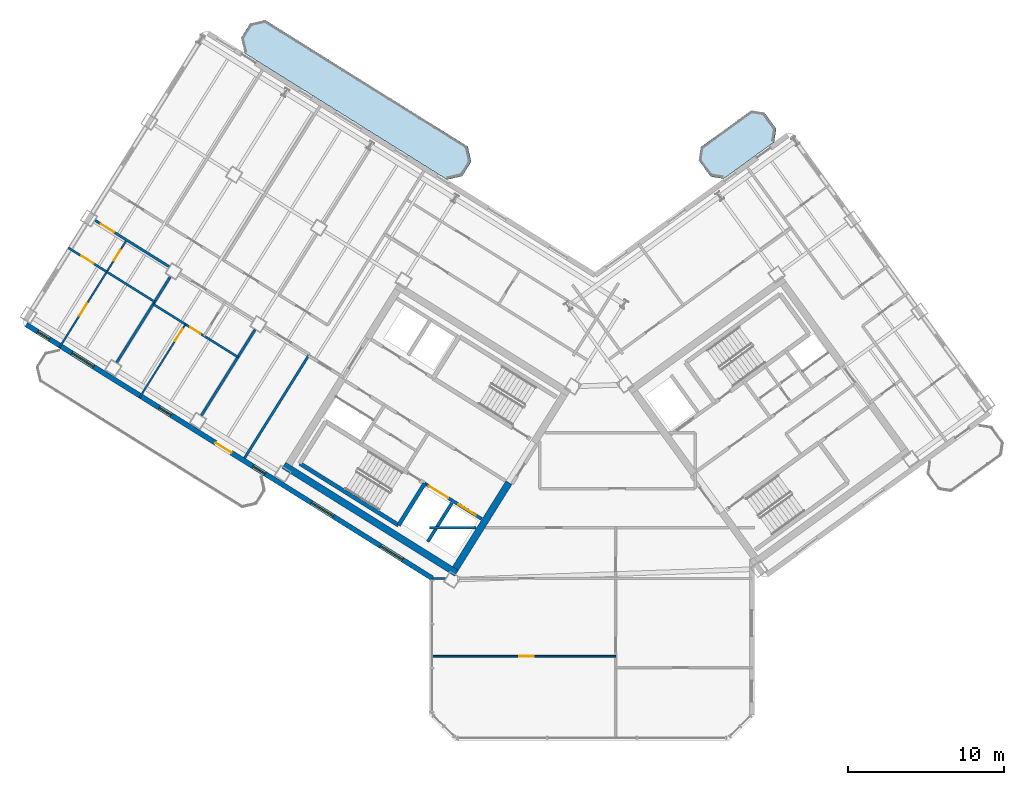
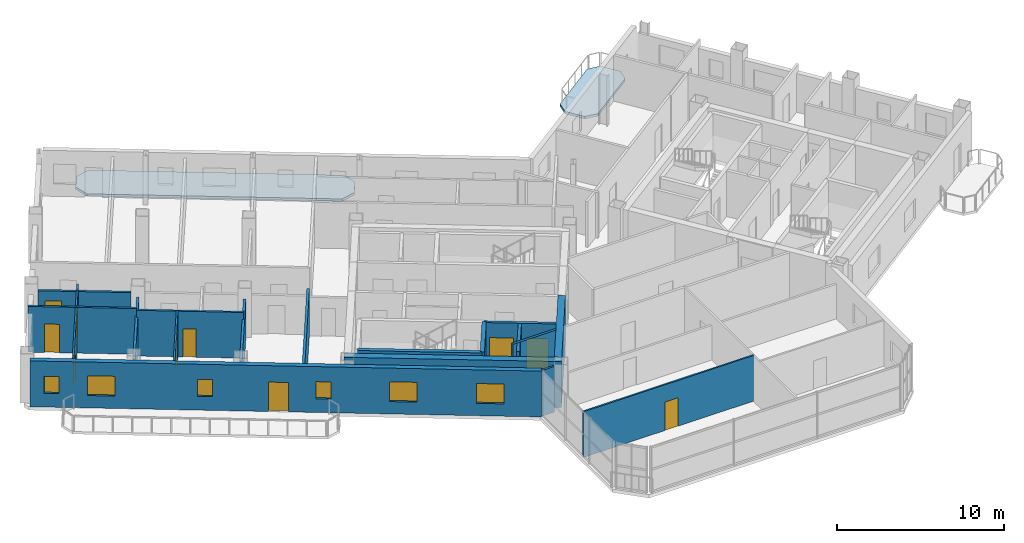
# One storey, part 11 of 20: 19 walls, 10 doors, 6 windows, 2 slabs, 16 openings.
"""IFC4 building model written with IfcOpenShell, lengths in metres."""

import ifcopenshell
import ifcopenshell.guid

model = None  # the IFC model being written
_history = None  # IfcOwnerHistory: only IFC2X3 demands one
_inside = {}  # id of a spatial element -> (the spatial element, [elements in it])
_under = {}  # id of a project, library or spatial element -> (it, [spatial elements below it])
_declared = {}  # id of a project -> (the project, [libraries it declares])
_typed = {}  # id of a type object -> (the type object, [elements of that type])
_made_of = {}  # id of a material, layer set ... -> (it, [elements and type objects made of it])


def new_model(schema):
    """Start an empty IFC model of exactly this schema.

    Asked for "IFC4X3", IfcOpenShell would pick the latest addendum, in which some entities
    have other attributes; the version numbers below select the first issue.
    IFC2X3 requires an IfcOwnerHistory on every rooted entity: one is made here for all.
    """
    global model, _history
    if schema == "IFC4X3":
        model = ifcopenshell.file(schema_version=(4, 3, 0, 0))
    else:
        model = ifcopenshell.file(schema=schema)
    _inside.clear()
    _under.clear()
    _declared.clear()
    _typed.clear()
    _made_of.clear()
    _history = None
    if model.schema == "IFC2X3":
        org = make("IfcOrganization", Name="unknown")
        user = make(
            "IfcPersonAndOrganization",
            ThePerson=make("IfcPerson", FamilyName="unknown"),
            TheOrganization=org,
        )
        app = make(
            "IfcApplication",
            ApplicationDeveloper=org,
            Version="unknown",
            ApplicationFullName="unknown",
            ApplicationIdentifier="unknown",
        )
        _history = make(
            "IfcOwnerHistory",
            OwningUser=user,
            OwningApplication=app,
            ChangeAction="ADDED",
            CreationDate=0,
        )
    return model


def make(cls, **values):
    """One entity of the class cls with the attributes given. An attribute that is None is left unset."""
    return model.create_entity(
        cls, **{name: value for name, value in values.items() if value is not None}
    )


def rooted(cls, **values):
    """An entity with a GlobalId (a new one), such as an element, a storey or a relation."""
    return make(cls, GlobalId=ifcopenshell.guid.new(), OwnerHistory=_history, **values)


def si_unit(unit_type, name, prefix=None):
    """IfcSIUnit, for example si_unit("LENGTHUNIT", "METRE", prefix="MILLI")."""
    return make("IfcSIUnit", UnitType=unit_type, Prefix=prefix, Name=name)


def assignment(units):
    """IfcUnitAssignment: the units of a project."""
    return None if units is None else make("IfcUnitAssignment", Units=units)


def point(xyz):
    """IfcCartesianPoint."""
    return None if xyz is None else make("IfcCartesianPoint", Coordinates=xyz)


def direction(xyz):
    """IfcDirection."""
    return None if xyz is None else make("IfcDirection", DirectionRatios=xyz)


def frame(location, z_axis=None, x_axis=None):
    """IfcAxis2Placement3D, a coordinate frame: its origin and axes. An axis left out is left unset."""
    return make(
        "IfcAxis2Placement3D",
        Location=point(location),
        Axis=direction(z_axis),
        RefDirection=direction(x_axis),
    )


def frame_2d(location, x_axis=None):
    """IfcAxis2Placement2D, a coordinate frame in the plane: its origin and x axis."""
    return make(
        "IfcAxis2Placement2D", Location=point(location), RefDirection=direction(x_axis)
    )


def origin():
    """The frame at (0, 0, 0) with its axes left unset."""
    return frame((0.0, 0.0, 0.0))


def place(relative_to, where):
    """IfcLocalPlacement: puts the frame where relative to a parent placement (None: the world)."""
    return make(
        "IfcLocalPlacement", PlacementRelTo=relative_to, RelativePlacement=where
    )


def context(
    kind, dimensions, precision=None, world=None, true_north=None, identifier=None
):
    """IfcGeometricRepresentationContext, for example the 3D "Model" context."""
    return make(
        "IfcGeometricRepresentationContext",
        ContextIdentifier=identifier,
        ContextType=kind,
        CoordinateSpaceDimension=dimensions,
        Precision=precision,
        WorldCoordinateSystem=world,
        TrueNorth=true_north,
    )


def subcontext(parent, identifier, kind, view, scale=None):
    """IfcGeometricRepresentationSubContext, for example "Body" below "Model"."""
    return make(
        "IfcGeometricRepresentationSubContext",
        ContextIdentifier=identifier,
        ContextType=kind,
        ParentContext=parent,
        TargetScale=scale,
        TargetView=view,
    )


def project(units=None, contexts=None):
    """IfcProject with its units and contexts."""
    return rooted(
        "IfcProject",
        Name="project",
        RepresentationContexts=contexts,
        UnitsInContext=assignment(units),
    )


def spatial(cls, under=None, at=None, **own):
    """A site, building, storey or space (cls), placed at a placement, below another one or the project."""
    s = rooted(cls, ObjectPlacement=at, **own)
    if under is not None:
        _under.setdefault(under.id(), (under, []))[1].append(s)
    return s


def polyline(points):
    """IfcPolyline through the points."""
    return make("IfcPolyline", Points=[point(p) for p in points])


def profile(cls, at=None, kind="AREA", **sizes):
    """A parametric profile (cls). Its sizes go by their IFC names, for example OverallWidth=200.0."""
    return make(cls, ProfileType=kind, Position=at, **sizes)


def rectangle(**sizes):
    """IfcRectangleProfileDef."""
    return profile("IfcRectangleProfileDef", **sizes)


def outline(outer, holes=None, kind="AREA"):
    """IfcArbitraryClosedProfileDef: a profile drawn as a closed curve; with holes, ...WithVoids."""
    if holes is None:
        return make("IfcArbitraryClosedProfileDef", ProfileType=kind, OuterCurve=outer)
    return make(
        "IfcArbitraryProfileDefWithVoids",
        ProfileType=kind,
        OuterCurve=outer,
        InnerCurves=holes,
    )


def extrude(swept, where, along, depth):
    """IfcExtrudedAreaSolid: the profile swept, set in the frame where, extruded along a direction by depth."""
    return make(
        "IfcExtrudedAreaSolid",
        SweptArea=swept,
        Position=where,
        ExtrudedDirection=direction(along),
        Depth=depth,
    )


def shape(context_of_items, identifier, shape_type, items):
    """IfcShapeRepresentation: the items that make up one representation, for example the "Body"."""
    return make(
        "IfcShapeRepresentation",
        ContextOfItems=context_of_items,
        RepresentationIdentifier=identifier,
        RepresentationType=shape_type,
        Items=items,
    )


def source(mapping_origin, context_of_items, identifier, shape_type, items):
    """IfcRepresentationMap: a shape defined once, which mapped items show again and again."""
    return make(
        "IfcRepresentationMap",
        MappingOrigin=mapping_origin,
        MappedRepresentation=shape(context_of_items, identifier, shape_type, items),
    )


def transform(
    local_origin,
    x_axis=None,
    y_axis=None,
    z_axis=None,
    scale=None,
    scale2=None,
    scale3=None,
    uniform=True,
):
    """IfcCartesianTransformationOperator3D, or its non-uniform kind. x_axis, y_axis, z_axis: its Axis1, 2, 3."""
    if uniform:
        return make(
            "IfcCartesianTransformationOperator3D",
            Axis1=direction(x_axis),
            Axis2=direction(y_axis),
            LocalOrigin=point(local_origin),
            Scale=scale,
            Axis3=direction(z_axis),
        )
    return make(
        "IfcCartesianTransformationOperator3DnonUniform",
        Axis1=direction(x_axis),
        Axis2=direction(y_axis),
        LocalOrigin=point(local_origin),
        Scale=scale,
        Axis3=direction(z_axis),
        Scale2=scale2,
        Scale3=scale3,
    )


def mapped(mapping_source, mapping_target):
    """IfcMappedItem: shows the shape of a source again, moved by a transform."""
    return make(
        "IfcMappedItem", MappingSource=mapping_source, MappingTarget=mapping_target
    )


def material(Name=None, Category=None):
    """IfcMaterial."""
    return make("IfcMaterial", Name=Name, Category=Category)


def layer(
    of_material, thickness, ventilated=None, Name=None, Category=None, Priority=None
):
    """IfcMaterialLayer: one layer of a wall or slab, of a material (None: an air gap)."""
    return make(
        "IfcMaterialLayer",
        Material=of_material,
        LayerThickness=thickness,
        IsVentilated=ventilated,
        Name=Name,
        Category=Category,
        Priority=Priority,
    )


def layer_set(layers, Name=None):
    """IfcMaterialLayerSet."""
    return make("IfcMaterialLayerSet", MaterialLayers=layers, LayerSetName=Name)


def made_of(thing, what):
    """Note that an element or type object is made of a material, layer set ...; save() writes the relation."""
    if what is not None:
        _made_of.setdefault(what.id(), (what, []))[1].append(thing)
    return thing


def type_object(cls, material=None, **own):
    """A type object (cls), such as IfcWallType, which elements share."""
    return made_of(rooted(cls, **own), material)


def element(
    cls,
    number,
    at=None,
    inside=None,
    cuts=None,
    type_object=None,
    material=None,
    context=None,
    identifier="Body",
    shape_type=None,
    held_by="IfcProductDefinitionShape",
    body=None,
    shapes=None,
    **own,
):
    """One element of the class cls, such as IfcWall. Its Tag is "e" and its number.

    at: its placement. inside: the storey or other place that contains it. cuts: it is an
    opening in that element (IfcRelVoidsElement). A single representation is given by context,
    identifier, shape_type and body (its items); several are given by shapes. held_by: the class
    of the entity that holds the representations. save() writes the other relations.
    """
    e = rooted(cls, Tag="e%d" % number, ObjectPlacement=at, **own)
    if body is not None:
        shapes = [shape(context, identifier, shape_type, body)]
    if shapes is not None:
        e.Representation = make(held_by, Representations=shapes)
    if inside is not None:
        _inside.setdefault(inside.id(), (inside, []))[1].append(e)
    if cuts is not None:
        rooted(
            "IfcRelVoidsElement", RelatingBuildingElement=cuts, RelatedOpeningElement=e
        )
    if type_object is not None:
        _typed.setdefault(type_object.id(), (type_object, []))[1].append(e)
    return made_of(e, material)


def fill(opening, filler):
    """IfcRelFillsElement: the door or window that sits in an opening."""
    return rooted(
        "IfcRelFillsElement",
        RelatingOpeningElement=opening,
        RelatedBuildingElement=filler,
    )


def aggregate(whole, parts):
    """IfcRelAggregates: a whole, such as a stair, and the parts it consists of."""
    return rooted("IfcRelAggregates", RelatingObject=whole, RelatedObjects=parts)


def save(model, path):
    """Write the relations noted so far, then the file.

    IfcRelAggregates (storeys below a building ...), IfcRelContainedInSpatialStructure (elements
    in a storey), IfcRelDefinesByType, IfcRelAssociatesMaterial and IfcRelDeclares: one each for
    every whole, place, type object, material and project.
    """
    for whole, parts in _under.values():
        aggregate(whole, parts)
    for where, things in _inside.values():
        rooted(
            "IfcRelContainedInSpatialStructure",
            RelatedElements=things,
            RelatingStructure=where,
        )
    for kind, things in _typed.values():
        rooted("IfcRelDefinesByType", RelatedObjects=things, RelatingType=kind)
    for what, things in _made_of.values():
        rooted("IfcRelAssociatesMaterial", RelatedObjects=things, RelatingMaterial=what)
    for by, libraries in _declared.values():
        rooted("IfcRelDeclares", RelatingContext=by, RelatedDefinitions=libraries)
    model.write(path)


model = new_model("IFC4")

# Units and contexts
model_context = context("Model", 3, precision=1e-05, world=origin(), true_north=direction((0.0, 1.0)))
body_context = subcontext(model_context, "Body", "Model", "MODEL_VIEW")
ifc_project = project(units=[si_unit("LENGTHUNIT", "METRE"), si_unit("AREAUNIT", "SQUARE_METRE"), si_unit("VOLUMEUNIT", "CUBIC_METRE"), si_unit("PLANEANGLEUNIT", "RADIAN"), si_unit("MASSUNIT", "GRAM", prefix="KILO")], contexts=[model_context])

# Site, building, storey
site_placement = place(None, origin())
site = spatial("IfcSite", under=ifc_project, at=site_placement, CompositionType="ELEMENT")
building_placement = place(site_placement, origin())
building = spatial("IfcBuilding", under=site, at=building_placement, Name="Tlacorven Tower", CompositionType="ELEMENT")
storey_placement = place(building_placement, frame((0.0, 0.0, 211.199951171875)))
storey = spatial("IfcBuildingStorey", under=building, at=storey_placement, Name="L53", CompositionType="ELEMENT", Elevation=211.199951171875)

# Slabs
ifc_material_1 = material(Name="Precast concrete C45/55", Category="concrete")
ifc_layer_1 = layer(ifc_material_1, 0.179931640625)
ifc_layer_set_1 = layer_set([ifc_layer_1], Name="Precast concrete C45/55")
slab_type = type_object("IfcSlabType", Name="SL-BAL-180", PredefinedType="USERDEFINED", material=ifc_layer_set_1)
slab_1_placement = place(storey_placement, frame((0.0, 0.0, -0.179931640625)))
element("IfcSlab", 1, at=slab_1_placement, inside=storey, type_object=slab_type, Name="L53 West Wing Balcony Ribbon IN", ObjectType="BALCONY SLAB", PredefinedType="USERDEFINED", context=body_context, shape_type="SweptSolid", body=[
    extrude(outline(polyline([(34.0419921875, 39.835693359375), (21.06689453125, 47.943359375), (20.102294921875, 47.720703125), (19.52197265625, 46.7919921875), (19.744873046875, 45.827392578125), (32.719970703125, 37.7197265625), (33.6845703125, 37.9423828125), (34.2646484375, 38.87109375), (34.0419921875, 39.835693359375)])), origin(), (0.0, 0.0, 1.0), 0.179931640625),
])
slab_2_placement = place(storey_placement, frame((0.0, 0.0, -0.179931640625)))
element("IfcSlab", 2, at=slab_2_placement, inside=storey, type_object=slab_type, Name="L53 East Wing Balcony Ribbon IN", ObjectType="BALCONY SLAB", PredefinedType="USERDEFINED", context=body_context, shape_type="SweptSolid", body=[
    extrude(outline(polyline([(50.433837890625, 37.77880859375), (53.669921875, 40.1298828125), (53.802490234375, 40.968017578125), (53.04150390625, 42.015625), (52.203369140625, 42.1484375), (48.96728515625, 39.79736328125), (48.83447265625, 38.959228515625), (49.595703125, 37.91162109375), (50.433837890625, 37.77880859375)])), origin(), (0.0, 0.0, 1.0), 0.179931640625),
])

# Walls
ifc_material_2 = material(Name="Concrete C50/60", Category="concrete")
ifc_layer_2 = layer(ifc_material_2, 0.449951171875)
ifc_layer_set_2 = layer_set([ifc_layer_2], Name="Concrete C50/60")
wall_type_1 = type_object("IfcWallType", Name="WL-COR-450", PredefinedType="SHEAR", material=ifc_layer_set_2)
wall_1_placement = place(storey_placement, frame((33.32373046875, 12.5029296875, 0.0), z_axis=(0.0, 0.0, 1.0), x_axis=(-0.848043529849, 0.529926571782, 0.0)))
element("IfcWall", 3, at=wall_1_placement, inside=storey, type_object=wall_type_1, Name="L53 W core shear wall S2", PredefinedType="SHEAR", context=body_context, shape_type="SweptSolid", body=[
    extrude(rectangle(XDim=13.039794921875, YDim=0.449951171875, at=frame_2d((6.52001953125, 0.0))), origin(), (0.0, 0.0, 1.0), 3.35009765625),
])
wall_2_placement = place(storey_placement, frame((36.683349609375, 18.30419921875, 0.0), z_axis=(0.0, 0.0, 1.0), x_axis=(-0.529904039071, -0.848057609704, 0.0)))
element("IfcWall", 4, at=wall_2_placement, inside=storey, type_object=wall_type_1, Name="L53 W core end wall E1.2", PredefinedType="SHEAR", context=body_context, shape_type="SweptSolid", body=[
    extrude(rectangle(XDim=6.47509765625, YDim=0.449951171875, at=frame_2d((3.237548828125, 0.0))), origin(), (0.0, 0.0, 1.0), 3.35009765625),
])
ifc_material_3 = material(Name="Gypsum plasterboard acoustic partition", Category="gypsum")
ifc_layer_3 = layer(ifc_material_3, 0.159912109375)
ifc_layer_set_3 = layer_set([ifc_layer_3], Name="Gypsum plasterboard acoustic partition")
wall_type_2 = type_object("IfcWallType", Name="WL-DEM-160", PredefinedType="PARTITIONING", material=ifc_layer_set_3)
wall_3_placement = place(storey_placement, frame((23.899169921875, 26.528564453125, 0.0), z_axis=(0.0, 0.0, 1.0), x_axis=(-0.529920662441, -0.848047222457, 0.0)))
element("IfcWall", 5, at=wall_3_placement, inside=storey, type_object=wall_type_2, Name="L53 partition 42", PredefinedType="PARTITIONING", context=body_context, shape_type="SweptSolid", body=[
    extrude(rectangle(XDim=7.85009765625, YDim=0.159912109375, at=frame_2d((3.925048828125, 0.0))), origin(), (0.0, 0.0, 1.0), 3.340087890625),
])

# Wall, opening, door
wall_4_placement = place(storey_placement, frame((14.908203125, 32.146728515625, 0.0), z_axis=(0.0, 0.0, 1.0), x_axis=(-0.848049955116, 0.529916289265, 0.0)))
wall_4 = element("IfcWall", 6, at=wall_4_placement, inside=storey, type_object=wall_type_2, Name="L53 Wing W Corridor North Wall", PredefinedType="PARTITIONING", context=body_context, shape_type="SweptSolid", body=[
    extrude(rectangle(XDim=5.575927734375, YDim=0.159912109375, at=frame_2d((2.7880859375, 0.0))), origin(), (0.0, 0.0, 1.0), 2.824951171875),
])
opening_1_placement = place(wall_4_placement, frame((4.157958984375, 0.0, 0.0)))
opening_1 = element("IfcOpeningElement", 7, at=opening_1_placement, cuts=wall_4, Name="Opening D11", PredefinedType="OPENING", context=body_context, shape_type="SweptSolid", body=[
    extrude(rectangle(XDim=1.0, YDim=2.10009765625, at=frame_2d((0.5, 1.050048828125))), frame((0.0, 0.08984375, 0.0), z_axis=(0.0, -1.0, 0.0), x_axis=(1.0, 0.0, 0.0)), (0.0, 0.0, 1.0), 0.179931640625),
])
ifc_material_4 = material(Name="Fire-rated steel door assembly", Category="steel")
door_type_1 = type_object("IfcDoorType", Name="DR-FLT-FD60-1000", OperationType="NOTDEFINED", PredefinedType="DOOR", material=ifc_material_4)
shared_shape_1 = source(origin(), body_context, "Body", "SweptSolid", [
    extrude(rectangle(XDim=1.0, YDim=2.10009765625, at=frame_2d((0.5, 1.050048828125))), frame((0.0, 0.02490234375, 0.0), z_axis=(0.0, -1.0, 0.0), x_axis=(1.0, 0.0, 0.0)), (0.0, 0.0, 1.0), 0.050048828125),
])
door_1_placement = place(opening_1_placement, origin())
door_1 = element("IfcDoor", 8, at=door_1_placement, inside=storey, type_object=door_type_1, Name="L53 door 030", OperationType="SINGLE_SWING_LEFT", OverallHeight=2.10009765625, OverallWidth=1.0, PredefinedType="DOOR", context=body_context, shape_type="MappedRepresentation", body=[
    mapped(shared_shape_1, transform((0.0, 0.0, 0.0), scale=1.0)),
])
fill(opening_1, door_1)

# Walls
wall_5_placement = place(storey_placement, frame((20.413818359375, 28.102783203125, 0.0), z_axis=(0.0, 0.0, 1.0), x_axis=(-0.529934553702, -0.848038542045, 0.0)))
element("IfcWall", 9, at=wall_5_placement, inside=storey, type_object=wall_type_2, Name="L53 WN Demising Wall 1", PredefinedType="PARTITIONING", context=body_context, shape_type="SweptSolid", body=[
    extrude(rectangle(XDim=6.47607421875, YDim=0.159912109375, at=frame_2d((3.238037109375, 0.0))), origin(), (0.0, 0.0, 1.0), 2.824951171875),
])
wall_6_placement = place(storey_placement, frame((14.986083984375, 31.494140625, 0.0), z_axis=(0.0, 0.0, 1.0), x_axis=(-0.529907440938, -0.848055484057, 0.0)))
element("IfcWall", 10, at=wall_6_placement, inside=storey, type_object=wall_type_2, Name="L53 WN Demising Wall 2", PredefinedType="PARTITIONING", context=body_context, shape_type="SweptSolid", body=[
    extrude(rectangle(XDim=6.475830078125, YDim=0.159912109375, at=frame_2d((3.23779296875, 0.0))), origin(), (0.0, 0.0, 1.0), 2.824951171875),
])
wall_7_placement = place(storey_placement, frame((31.60009765625, 15.419921875, 0.0), z_axis=(0.0, 0.0, 1.0), x_axis=(1.0, 0.0, 0.0)))
element("IfcWall", 11, at=wall_7_placement, inside=storey, type_object=wall_type_2, Name="L53 Knuckle Corridor South Wall", PredefinedType="PARTITIONING", context=body_context, shape_type="SweptSolid", body=[
    extrude(rectangle(XDim=2.984130859375, YDim=0.159912109375, at=frame_2d((1.4921875, 0.0))), origin(), (0.0, 0.0, 1.0), 3.340087890625),
])

# Wall, openings, door, windows
ifc_layer_4 = layer(ifc_material_1, 0.320068359375)
ifc_layer_set_4 = layer_set([ifc_layer_4], Name="Precast concrete C45/55")
wall_type_3 = type_object("IfcWallType", Name="WL-EXT-320", PredefinedType="STANDARD", material=ifc_layer_set_4)
wall_8_placement = place(storey_placement, frame((31.760009765625, 12.18310546875, 0.0), z_axis=(0.0, 0.0, 1.0), x_axis=(-0.848047074256, 0.529920899612, 0.0)))
wall_8 = element("IfcWall", 12, at=wall_8_placement, inside=storey, type_object=wall_type_3, Name="L53 Masonry-Frame Recessed Facade Wall 1", PredefinedType="STANDARD", context=body_context, shape_type="SweptSolid", body=[
    extrude(rectangle(XDim=30.652099609375, YDim=0.320068359375, at=frame_2d((15.326171875, 0.0))), origin(), (0.0, 0.0, 1.0), 3.35009765625),
])
opening_2_placement = place(wall_8_placement, frame((15.165771484375, 0.0, 0.0)))
opening_2 = element("IfcOpeningElement", 13, at=opening_2_placement, cuts=wall_8, Name="Opening D05", PredefinedType="OPENING", context=body_context, shape_type="SweptSolid", body=[
    extrude(rectangle(XDim=1.199951171875, YDim=2.14990234375, at=frame_2d((0.60009765625, 1.074951171875))), frame((0.0, 0.169921875, 0.0), z_axis=(0.0, -1.0, 0.0), x_axis=(1.0, 0.0, 0.0)), (0.0, 0.0, 1.0), 0.340087890625),
])
opening_3_placement = place(wall_8_placement, frame((2.239501953125, 0.0, 0.89990234375)))
opening_3 = element("IfcOpeningElement", 14, at=opening_3_placement, cuts=wall_8, Name="Opening WN07", PredefinedType="OPENING", context=body_context, shape_type="SweptSolid", body=[
    extrude(rectangle(XDim=1.64990234375, YDim=1.449951171875, at=frame_2d((0.824951171875, 0.72509765625))), frame((0.0, 0.169921875, 0.0), z_axis=(0.0, -1.0, 0.0), x_axis=(1.0, 0.0, 0.0)), (0.0, 0.0, 1.0), 0.340087890625),
])
opening_4_placement = place(wall_8_placement, frame((7.46875, 0.0, 0.89990234375)))
opening_4 = element("IfcOpeningElement", 15, at=opening_4_placement, cuts=wall_8, Name="Opening WN07", PredefinedType="OPENING", context=body_context, shape_type="SweptSolid", body=[
    extrude(rectangle(XDim=1.64990234375, YDim=1.449951171875, at=frame_2d((0.824951171875, 0.72509765625))), frame((0.0, 0.169921875, 0.0), z_axis=(0.0, -1.0, 0.0), x_axis=(1.0, 0.0, 0.0)), (0.0, 0.0, 1.0), 0.340087890625),
])
opening_5_placement = place(wall_8_placement, frame((12.623291015625, 0.0, 1.0)))
opening_5 = element("IfcOpeningElement", 16, at=opening_5_placement, cuts=wall_8, Name="Opening WN05", PredefinedType="OPENING", context=body_context, shape_type="SweptSolid", body=[
    extrude(rectangle(XDim=0.89990234375, YDim=1.25, at=frame_2d((0.449951171875, 0.625))), frame((0.0, 0.169921875, 0.0), z_axis=(0.0, -1.0, 0.0), x_axis=(1.0, 0.0, 0.0)), (0.0, 0.0, 1.0), 0.340087890625),
])
opening_6_placement = place(wall_8_placement, frame((19.71484375, 0.0, 1.0)))
opening_6 = element("IfcOpeningElement", 17, at=opening_6_placement, cuts=wall_8, Name="Opening WN05", PredefinedType="OPENING", context=body_context, shape_type="SweptSolid", body=[
    extrude(rectangle(XDim=0.89990234375, YDim=1.25, at=frame_2d((0.449951171875, 0.625))), frame((0.0, 0.169921875, 0.0), z_axis=(0.0, -1.0, 0.0), x_axis=(1.0, 0.0, 0.0)), (0.0, 0.0, 1.0), 0.340087890625),
])
opening_7_placement = place(wall_8_placement, frame((25.56591796875, 0.0, 0.89990234375)))
opening_7 = element("IfcOpeningElement", 18, at=opening_7_placement, cuts=wall_8, Name="Opening WN07", PredefinedType="OPENING", context=body_context, shape_type="SweptSolid", body=[
    extrude(rectangle(XDim=1.64990234375, YDim=1.449951171875, at=frame_2d((0.824951171875, 0.72509765625))), frame((0.0, 0.169921875, 0.0), z_axis=(0.0, -1.0, 0.0), x_axis=(1.0, 0.0, 0.0)), (0.0, 0.0, 1.0), 0.340087890625),
])
opening_8_placement = place(wall_8_placement, frame((28.895751953125, 0.0, 1.0)))
opening_8 = element("IfcOpeningElement", 19, at=opening_8_placement, cuts=wall_8, Name="Opening WN05", PredefinedType="OPENING", context=body_context, shape_type="SweptSolid", body=[
    extrude(rectangle(XDim=0.89990234375, YDim=1.25, at=frame_2d((0.449951171875, 0.625))), frame((0.0, 0.169921875, 0.0), z_axis=(0.0, -1.0, 0.0), x_axis=(1.0, 0.0, 0.0)), (0.0, 0.0, 1.0), 0.340087890625),
])
ifc_material_5 = material(Name="Powder-coated aluminium and timber door", Category="wood")
door_type_2 = type_object("IfcDoorType", Name="DR-EXT-BALC-1200", OperationType="NOTDEFINED", PredefinedType="DOOR", material=ifc_material_5)
shared_shape_2 = source(origin(), body_context, "Body", "SweptSolid", [
    extrude(rectangle(XDim=1.199951171875, YDim=2.14990234375, at=frame_2d((0.60009765625, 1.074951171875))), frame((0.0, 0.02490234375, 0.0), z_axis=(0.0, -1.0, 0.0), x_axis=(1.0, 0.0, 0.0)), (0.0, 0.0, 1.0), 0.050048828125),
])
door_2_placement = place(opening_2_placement, origin())
door_2 = element("IfcDoor", 20, at=door_2_placement, inside=storey, type_object=door_type_2, Name="L53 Outdoor Access Door BAL-L53-W-OUT", OperationType="SINGLE_SWING_LEFT", OverallHeight=2.14990234375, OverallWidth=1.199951171875, PredefinedType="DOOR", context=body_context, shape_type="MappedRepresentation", body=[
    mapped(shared_shape_2, transform((0.0, 0.0, 0.0), scale=1.0)),
])
fill(opening_2, door_2)
ifc_material_6 = material(Name="Dark solar low-E double glazing in anodised aluminium frame", Category="aluminium")
window_type_1 = type_object("IfcWindowType", Name="WN-APT-0900X1350", PartitioningType="SINGLE_PANEL", PredefinedType="WINDOW", material=ifc_material_6)
shared_shape_3 = source(origin(), body_context, "Body", "SweptSolid", [
    extrude(rectangle(XDim=0.89990234375, YDim=1.25, at=frame_2d((0.449951171875, 0.625))), frame((0.0, 0.030029296875, 0.0), z_axis=(0.0, -1.0, 0.0), x_axis=(1.0, 0.0, 0.0)), (0.0, 0.0, 1.0), 0.06005859375),
])
window_1_placement = place(opening_5_placement, origin())
window_1 = element("IfcWindow", 21, at=window_1_placement, inside=storey, type_object=window_type_1, Name="L53 Recessed Masonry-Frame Window L53-01.3", OverallHeight=1.25, OverallWidth=0.89990234375, PartitioningType="SINGLE_PANEL", PredefinedType="WINDOW", context=body_context, shape_type="MappedRepresentation", body=[
    mapped(shared_shape_3, transform((0.0, 0.0, 0.0), scale=1.0)),
])
fill(opening_5, window_1)
window_2_placement = place(opening_6_placement, origin())
window_2 = element("IfcWindow", 22, at=window_2_placement, inside=storey, type_object=window_type_1, Name="L53 Recessed Masonry-Frame Window L53-01.4", OverallHeight=1.25, OverallWidth=0.89990234375, PartitioningType="SINGLE_PANEL", PredefinedType="WINDOW", context=body_context, shape_type="MappedRepresentation", body=[
    mapped(shared_shape_3, transform((0.0, 0.0, 0.0), scale=1.0)),
])
fill(opening_6, window_2)
window_3_placement = place(opening_8_placement, origin())
window_3 = element("IfcWindow", 23, at=window_3_placement, inside=storey, type_object=window_type_1, Name="L53 Recessed Masonry-Frame Window L53-01.6", OverallHeight=1.25, OverallWidth=0.89990234375, PartitioningType="SINGLE_PANEL", PredefinedType="WINDOW", context=body_context, shape_type="MappedRepresentation", body=[
    mapped(shared_shape_3, transform((0.0, 0.0, 0.0), scale=1.0)),
])
fill(opening_8, window_3)
window_type_2 = type_object("IfcWindowType", Name="WN-APT-1650X1600", PartitioningType="SINGLE_PANEL", PredefinedType="WINDOW", material=ifc_material_6)
shared_shape_4 = source(origin(), body_context, "Body", "SweptSolid", [
    extrude(rectangle(XDim=1.64990234375, YDim=1.449951171875, at=frame_2d((0.824951171875, 0.72509765625))), frame((0.0, 0.030029296875, 0.0), z_axis=(0.0, -1.0, 0.0), x_axis=(1.0, 0.0, 0.0)), (0.0, 0.0, 1.0), 0.06005859375),
])
window_4_placement = place(opening_3_placement, origin())
window_4 = element("IfcWindow", 24, at=window_4_placement, inside=storey, type_object=window_type_2, Name="L53 Recessed Masonry-Frame Window L53-01.1", OverallHeight=1.449951171875, OverallWidth=1.64990234375, PartitioningType="SINGLE_PANEL", PredefinedType="WINDOW", context=body_context, shape_type="MappedRepresentation", body=[
    mapped(shared_shape_4, transform((0.0, 0.0, 0.0), scale=1.0)),
])
fill(opening_3, window_4)
window_5_placement = place(opening_4_placement, origin())
window_5 = element("IfcWindow", 25, at=window_5_placement, inside=storey, type_object=window_type_2, Name="L53 Recessed Masonry-Frame Window L53-01.2", OverallHeight=1.449951171875, OverallWidth=1.64990234375, PartitioningType="SINGLE_PANEL", PredefinedType="WINDOW", context=body_context, shape_type="MappedRepresentation", body=[
    mapped(shared_shape_4, transform((0.0, 0.0, 0.0), scale=1.0)),
])
fill(opening_4, window_5)
window_6_placement = place(opening_7_placement, origin())
window_6 = element("IfcWindow", 26, at=window_6_placement, inside=storey, type_object=window_type_2, Name="L53 Recessed Masonry-Frame Window L53-01.5", OverallHeight=1.449951171875, OverallWidth=1.64990234375, PartitioningType="SINGLE_PANEL", PredefinedType="WINDOW", context=body_context, shape_type="MappedRepresentation", body=[
    mapped(shared_shape_4, transform((0.0, 0.0, 0.0), scale=1.0)),
])
fill(opening_7, window_6)

# Wall, opening, door
ifc_material_7 = material(Name="Gypsum plasterboard partition", Category="gypsum")
ifc_layer_5 = layer(ifc_material_7, 0.110107421875)
ifc_layer_set_5 = layer_set([ifc_layer_5], Name="Gypsum plasterboard partition")
wall_type_4 = type_object("IfcWallType", Name="WL-INT-110", PredefinedType="PARTITIONING", material=ifc_layer_set_5)
wall_9_placement = place(storey_placement, frame((15.952880859375, 28.45166015625, 0.0), z_axis=(0.0, 0.0, 1.0), x_axis=(-0.529919714018, -0.848047815099, 0.0)))
wall_9 = element("IfcWall", 27, at=wall_9_placement, inside=storey, type_object=wall_type_4, Name="L53 partition 50", PredefinedType="PARTITIONING", context=body_context, shape_type="SweptSolid", body=[
    extrude(rectangle(XDim=5.5400390625, YDim=0.110107421875, at=frame_2d((2.77001953125, 0.0))), origin(), (0.0, 0.0, 1.0), 3.340087890625),
])
opening_9_placement = place(wall_9_placement, frame((0.35009765625, 0.0, 0.0)))
opening_9 = element("IfcOpeningElement", 28, at=opening_9_placement, cuts=wall_9, Name="Opening D12", PredefinedType="OPENING", context=body_context, shape_type="SweptSolid", body=[
    extrude(rectangle(XDim=0.919921875, YDim=2.080078125, at=frame_2d((0.4599609375, 1.0400390625))), frame((0.0, 0.06494140625, 0.0), z_axis=(0.0, -1.0, 0.0), x_axis=(1.0, 0.0, 0.0)), (0.0, 0.0, 1.0), 0.130126953125),
])
door_type_3 = type_object("IfcDoorType", Name="DR-INT-ROOM-0920", OperationType="NOTDEFINED", PredefinedType="DOOR", material=ifc_material_5)
shared_shape_5 = source(origin(), body_context, "Body", "SweptSolid", [
    extrude(rectangle(XDim=0.919921875, YDim=2.080078125, at=frame_2d((0.4599609375, 1.0400390625))), frame((0.0, 0.02490234375, 0.0), z_axis=(0.0, -1.0, 0.0), x_axis=(1.0, 0.0, 0.0)), (0.0, 0.0, 1.0), 0.050048828125),
])
door_3_placement = place(opening_9_placement, origin())
door_3 = element("IfcDoor", 29, at=door_3_placement, inside=storey, type_object=door_type_3, Name="L53 door 025", OperationType="SINGLE_SWING_LEFT", OverallHeight=2.080078125, OverallWidth=0.919921875, PredefinedType="DOOR", context=body_context, shape_type="MappedRepresentation", body=[
    mapped(shared_shape_5, transform((0.0, 0.0, 0.0), scale=1.0)),
])
fill(opening_9, door_3)

# Wall, openings, doors
wall_10_placement = place(storey_placement, frame((12.1875, 33.8466796875, 0.0), z_axis=(0.0, 0.0, 1.0), x_axis=(-0.529917860021, -0.848048973604, 0.0)))
wall_10 = element("IfcWall", 30, at=wall_10_placement, inside=storey, type_object=wall_type_4, Name="L53 partition 51", PredefinedType="PARTITIONING", context=body_context, shape_type="SweptSolid", body=[
    extrude(rectangle(XDim=8.1201171875, YDim=0.110107421875, at=frame_2d((4.06005859375, 0.0))), origin(), (0.0, 0.0, 1.0), 3.340087890625),
])
opening_10_placement = place(wall_10_placement, frame((0.760009765625, 0.0, 0.0)))
opening_10 = element("IfcOpeningElement", 31, at=opening_10_placement, cuts=wall_10, Name="Opening D22", PredefinedType="OPENING", context=body_context, shape_type="SweptSolid", body=[
    extrude(rectangle(XDim=0.780029296875, YDim=2.050048828125, at=frame_2d((0.39013671875, 1.02490234375))), frame((0.0, 0.06494140625, 0.0), z_axis=(0.0, -1.0, 0.0), x_axis=(1.0, 0.0, 0.0)), (0.0, 0.0, 1.0), 0.130126953125),
])
opening_11_placement = place(wall_10_placement, frame((4.800048828125, 0.0, 0.0)))
opening_11 = element("IfcOpeningElement", 32, at=opening_11_placement, cuts=wall_10, Name="Opening D12", PredefinedType="OPENING", context=body_context, shape_type="SweptSolid", body=[
    extrude(rectangle(XDim=0.919921875, YDim=2.080078125, at=frame_2d((0.4599609375, 1.0400390625))), frame((0.0, 0.06494140625, 0.0), z_axis=(0.0, -1.0, 0.0), x_axis=(1.0, 0.0, 0.0)), (0.0, 0.0, 1.0), 0.130126953125),
])
door_type_4 = type_object("IfcDoorType", Name="DR-INT-WET-0780", OperationType="NOTDEFINED", PredefinedType="DOOR", material=ifc_material_5)
shared_shape_6 = source(origin(), body_context, "Body", "SweptSolid", [
    extrude(rectangle(XDim=0.780029296875, YDim=2.050048828125, at=frame_2d((0.39013671875, 1.02490234375))), frame((0.0, 0.02490234375, 0.0), z_axis=(0.0, -1.0, 0.0), x_axis=(1.0, 0.0, 0.0)), (0.0, 0.0, 1.0), 0.050048828125),
])
door_4_placement = place(opening_10_placement, origin())
door_4 = element("IfcDoor", 33, at=door_4_placement, inside=storey, type_object=door_type_4, Name="L53 door 032", OperationType="SINGLE_SWING_RIGHT", OverallHeight=2.050048828125, OverallWidth=0.780029296875, PredefinedType="DOOR", context=body_context, shape_type="MappedRepresentation", body=[
    mapped(shared_shape_6, transform((0.0, 0.0, 0.0), scale=1.0)),
])
fill(opening_10, door_4)
door_5_placement = place(opening_11_placement, origin())
door_5 = element("IfcDoor", 34, at=door_5_placement, inside=storey, type_object=door_type_3, Name="L53 door 033", OperationType="SINGLE_SWING_LEFT", OverallHeight=2.080078125, OverallWidth=0.919921875, PredefinedType="DOOR", context=body_context, shape_type="MappedRepresentation", body=[
    mapped(shared_shape_5, transform((0.0, 0.0, 0.0), scale=1.0)),
])
fill(opening_11, door_5)

# Wall, opening, door
wall_11_placement = place(storey_placement, frame((31.739990234375, 7.18505859375, 0.0), z_axis=(0.0, 0.0, 1.0), x_axis=(1.0, 0.0, 0.0)))
wall_11 = element("IfcWall", 35, at=wall_11_placement, inside=storey, type_object=wall_type_4, Name="L53 partition 72", PredefinedType="PARTITIONING", context=body_context, shape_type="SweptSolid", body=[
    extrude(rectangle(XDim=11.785888671875, YDim=0.110107421875, at=frame_2d((5.89306640625, 0.0))), origin(), (0.0, 0.0, 1.0), 3.340087890625),
])
opening_12_placement = place(wall_11_placement, frame((5.613037109375, 0.0, 0.0)))
opening_12 = element("IfcOpeningElement", 36, at=opening_12_placement, cuts=wall_11, Name="Opening D12", PredefinedType="OPENING", context=body_context, shape_type="SweptSolid", body=[
    extrude(rectangle(XDim=0.919921875, YDim=2.080078125, at=frame_2d((0.4599609375, 1.0400390625))), frame((0.0, 0.06494140625, 0.0), z_axis=(0.0, -1.0, 0.0), x_axis=(1.0, 0.0, 0.0)), (0.0, 0.0, 1.0), 0.130126953125),
])
door_6_placement = place(opening_12_placement, frame((0.919921875, 0.0, 0.0), z_axis=(0.0, 0.0, 1.0), x_axis=(-1.0, 0.0, 0.0)))
door_6 = element("IfcDoor", 37, at=door_6_placement, inside=storey, type_object=door_type_3, Name="L53 door 044", OperationType="SINGLE_SWING_RIGHT", OverallHeight=2.080078125, OverallWidth=0.919921875, PredefinedType="DOOR", context=body_context, shape_type="MappedRepresentation", body=[
    mapped(shared_shape_5, transform((0.0, 0.0, 0.0), scale=1.0)),
])
fill(opening_12, door_6)

ifc_material_8 = material(Name="Moisture-resistant gypsum plumbing wall", Category="gypsum")
ifc_layer_6 = layer(ifc_material_8, 0.139892578125)
ifc_layer_set_6 = layer_set([ifc_layer_6], Name="Moisture-resistant gypsum plumbing wall")
wall_type_5 = type_object("IfcWallType", Name="WL-PLM-140", PredefinedType="PLUMBINGWALL", material=ifc_layer_set_6)
wall_12_placement = place(storey_placement, frame((19.31787109375, 26.348876953125, 0.0), z_axis=(0.0, 0.0, 1.0), x_axis=(-0.848039019877, 0.529933789039, 0.0)))
wall_12 = element("IfcWall", 38, at=wall_12_placement, inside=storey, type_object=wall_type_5, Name="L53 partition 48", PredefinedType="PLUMBINGWALL", context=body_context, shape_type="SweptSolid", body=[
    extrude(rectangle(XDim=6.400146484375, YDim=0.139892578125, at=frame_2d((3.2001953125, 0.0))), origin(), (0.0, 0.0, 1.0), 3.340087890625),
])
opening_13_placement = place(wall_12_placement, frame((2.823974609375, 0.0, 0.0)))
opening_13 = element("IfcOpeningElement", 39, at=opening_13_placement, cuts=wall_12, Name="Opening D22", PredefinedType="OPENING", context=body_context, shape_type="SweptSolid", body=[
    extrude(rectangle(XDim=0.780029296875, YDim=2.050048828125, at=frame_2d((0.39013671875, 1.02490234375))), frame((0.0, 0.080078125, 0.0), z_axis=(0.0, -1.0, 0.0), x_axis=(1.0, 0.0, 0.0)), (0.0, 0.0, 1.0), 0.159912109375),
])
door_7_placement = place(opening_13_placement, origin())
door_7 = element("IfcDoor", 40, at=door_7_placement, inside=storey, type_object=door_type_4, Name="L53 door 027", OperationType="SINGLE_SWING_LEFT", OverallHeight=2.050048828125, OverallWidth=0.780029296875, PredefinedType="DOOR", context=body_context, shape_type="MappedRepresentation", body=[
    mapped(shared_shape_6, transform((0.0, 0.0, 0.0), scale=1.0)),
])
fill(opening_13, door_7)

wall_13_placement = place(storey_placement, frame((10.915771484375, 31.811279296875, 0.0), z_axis=(0.0, 0.0, 1.0), x_axis=(-0.84802195137, 0.529961102341, 0.0)))
wall_13 = element("IfcWall", 41, at=wall_13_placement, inside=storey, type_object=wall_type_5, Name="L53 partition 53", PredefinedType="PLUMBINGWALL", context=body_context, shape_type="SweptSolid", body=[
    extrude(rectangle(XDim=2.89990234375, YDim=0.139892578125, at=frame_2d((1.449951171875, 0.0))), origin(), (0.0, 0.0, 1.0), 3.340087890625),
])
opening_14_placement = place(wall_13_placement, frame((0.989990234375, 0.0, 0.0)))
opening_14 = element("IfcOpeningElement", 42, at=opening_14_placement, cuts=wall_13, Name="Opening D12", PredefinedType="OPENING", context=body_context, shape_type="SweptSolid", body=[
    extrude(rectangle(XDim=0.919921875, YDim=2.080078125, at=frame_2d((0.4599609375, 1.0400390625))), frame((0.0, 0.080078125, 0.0), z_axis=(0.0, -1.0, 0.0), x_axis=(1.0, 0.0, 0.0)), (0.0, 0.0, 1.0), 0.159912109375),
])
door_8_placement = place(opening_14_placement, origin())
door_8 = element("IfcDoor", 43, at=door_8_placement, inside=storey, type_object=door_type_3, Name="L53 door 031", OperationType="SINGLE_SWING_LEFT", OverallHeight=2.080078125, OverallWidth=0.919921875, PredefinedType="DOOR", context=body_context, shape_type="MappedRepresentation", body=[
    mapped(shared_shape_5, transform((0.0, 0.0, 0.0), scale=1.0)),
])
fill(opening_14, door_8)

# Walls
wall_14_placement = place(storey_placement, frame((13.985595703125, 29.89306640625, 0.0), z_axis=(0.0, 0.0, 1.0), x_axis=(-0.848051346257, 0.52991406295, 0.0)))
element("IfcWall", 44, at=wall_14_placement, inside=storey, type_object=wall_type_5, Name="L53 partition 54", PredefinedType="PLUMBINGWALL", context=body_context, shape_type="SweptSolid", body=[
    extrude(rectangle(XDim=3.619873046875, YDim=0.139892578125, at=frame_2d((1.81005859375, 0.0))), origin(), (0.0, 0.0, 1.0), 3.340087890625),
])
wall_15_placement = place(storey_placement, frame((31.739990234375, 12.169921875, 0.0), z_axis=(0.0, 0.0, 1.0), x_axis=(1.0, 0.0, 0.0)))
element("IfcWall", 45, at=wall_15_placement, inside=storey, type_object=wall_type_5, Name="L53 partition 70", PredefinedType="PLUMBINGWALL", context=body_context, shape_type="SweptSolid", body=[
    extrude(rectangle(XDim=0.872314453125, YDim=0.139892578125, at=frame_2d((0.43603515625, 0.0))), origin(), (0.0, 0.0, 1.0), 3.340087890625),
])

# Wall, openings, doors
ifc_material_9 = material(Name="Concrete C40/50", Category="concrete")
ifc_layer_7 = layer(ifc_material_9, 0.199951171875)
ifc_layer_set_7 = layer_set([ifc_layer_7], Name="Concrete C40/50")
wall_type_6 = type_object("IfcWallType", Name="WL-SHF-200", PredefinedType="STANDARD", material=ifc_layer_set_7)
wall_16_placement = place(storey_placement, frame((34.93310546875, 15.978271484375, 0.0), z_axis=(0.0, 0.0, 1.0), x_axis=(-0.848055739377, 0.529907032327, 0.0)))
wall_16 = element("IfcWall", 46, at=wall_16_placement, inside=storey, type_object=wall_type_6, Name="L53 Core W Firefighting Lift Shaft Front Wall", PredefinedType="STANDARD", context=body_context, shape_type="SweptSolid", body=[
    extrude(rectangle(XDim=4.298095703125, YDim=0.199951171875, at=frame_2d((2.14892578125, 0.0))), origin(), (0.0, 0.0, 1.0), 3.340087890625),
])
opening_15_placement = place(wall_16_placement, frame((0.447998046875, 0.0, 0.0)))
opening_15 = element("IfcOpeningElement", 47, at=opening_15_placement, cuts=wall_16, Name="Opening LD03", PredefinedType="OPENING", context=body_context, shape_type="SweptSolid", body=[
    extrude(rectangle(XDim=1.300048828125, YDim=2.199951171875, at=frame_2d((0.64990234375, 1.10009765625))), frame((0.0, 0.10986328125, 0.0), z_axis=(0.0, -1.0, 0.0), x_axis=(1.0, 0.0, 0.0)), (0.0, 0.0, 1.0), 0.219970703125),
])
opening_16_placement = place(wall_16_placement, frame((2.52294921875, 0.0, 0.0)))
opening_16 = element("IfcOpeningElement", 48, at=opening_16_placement, cuts=wall_16, Name="Opening LD04", PredefinedType="OPENING", context=body_context, shape_type="SweptSolid", body=[
    extrude(rectangle(XDim=1.449951171875, YDim=2.25, at=frame_2d((0.72509765625, 1.125))), frame((0.0, 0.10986328125, 0.0), z_axis=(0.0, -1.0, 0.0), x_axis=(1.0, 0.0, 0.0)), (0.0, 0.0, 1.0), 0.219970703125),
])
door_type_5 = type_object("IfcDoorType", Name="DR-LFT-SLID-1300", OperationType="DOUBLE_DOOR_SLIDING", PredefinedType="DOOR", material=ifc_material_4)
shared_shape_7 = source(origin(), body_context, "Body", "SweptSolid", [
    extrude(rectangle(XDim=1.300048828125, YDim=2.199951171875, at=frame_2d((0.64990234375, 1.10009765625))), frame((0.0, 0.02490234375, 0.0), z_axis=(0.0, -1.0, 0.0), x_axis=(1.0, 0.0, 0.0)), (0.0, 0.0, 1.0), 0.050048828125),
])
door_9_placement = place(opening_15_placement, origin())
door_9 = element("IfcDoor", 49, at=door_9_placement, inside=storey, type_object=door_type_5, Name="L53 Lift FFL-W1 Sliding Landing Door", OperationType="DOUBLE_DOOR_SLIDING", OverallHeight=2.199951171875, OverallWidth=1.300048828125, PredefinedType="DOOR", context=body_context, shape_type="MappedRepresentation", body=[
    mapped(shared_shape_7, transform((0.0, 0.0, 0.0), scale=1.0)),
])
fill(opening_15, door_9)
door_type_6 = type_object("IfcDoorType", Name="DR-LFT-SLID-1450", OperationType="DOUBLE_DOOR_SLIDING", PredefinedType="DOOR", material=ifc_material_4)
shared_shape_8 = source(origin(), body_context, "Body", "SweptSolid", [
    extrude(rectangle(XDim=1.449951171875, YDim=2.25, at=frame_2d((0.72509765625, 1.125))), frame((0.0, 0.02490234375, 0.0), z_axis=(0.0, -1.0, 0.0), x_axis=(1.0, 0.0, 0.0)), (0.0, 0.0, 1.0), 0.050048828125),
])
door_10_placement = place(opening_16_placement, origin())
door_10 = element("IfcDoor", 50, at=door_10_placement, inside=storey, type_object=door_type_6, Name="L53 Lift SVL-W1 Sliding Landing Door", OperationType="DOUBLE_DOOR_SLIDING", OverallHeight=2.25, OverallWidth=1.449951171875, PredefinedType="DOOR", context=body_context, shape_type="MappedRepresentation", body=[
    mapped(shared_shape_8, transform((0.0, 0.0, 0.0), scale=1.0)),
])
fill(opening_16, door_10)

# Walls
wall_17_placement = place(storey_placement, frame((33.02880859375, 17.003173828125, 0.0), z_axis=(0.0, 0.0, 1.0), x_axis=(-0.529916267533, -0.848049968695, 0.0)))
element("IfcWall", 51, at=wall_17_placement, inside=storey, type_object=wall_type_6, Name="L53 partition 11", PredefinedType="STANDARD", context=body_context, shape_type="SweptSolid", body=[
    extrude(rectangle(XDim=2.919921875, YDim=0.199951171875, at=frame_2d((1.4599609375, 0.0))), origin(), (0.0, 0.0, 1.0), 3.340087890625),
])
ifc_layer_8 = layer(ifc_material_2, 0.260009765625)
ifc_layer_set_8 = layer_set([ifc_layer_8], Name="Concrete C50/60")
wall_type_7 = type_object("IfcWallType", Name="WL-STW-260", PredefinedType="SHEAR", material=ifc_layer_set_8)
wall_18_placement = place(storey_placement, frame((29.60498046875, 15.581298828125, 0.0), z_axis=(0.0, 0.0, 1.0), x_axis=(-0.848036911448, 0.529937163087, 0.0)))
element("IfcWall", 52, at=wall_18_placement, inside=storey, type_object=wall_type_7, Name="L53 Stair W1 Far Shear Wall", PredefinedType="SHEAR", context=body_context, shape_type="SweptSolid", body=[
    extrude(rectangle(XDim=7.4599609375, YDim=0.260009765625, at=frame_2d((3.72998046875, 0.0))), origin(), (0.0, 0.0, 1.0), 3.35009765625),
])
wall_19_placement = place(storey_placement, frame((31.2880859375, 18.255859375, 0.0), z_axis=(0.0, 0.0, 1.0), x_axis=(-0.529943379326, -0.848033026897, 0.0)))
element("IfcWall", 53, at=wall_19_placement, inside=storey, type_object=wall_type_7, Name="L53 Stair W1 West Shear Wall", PredefinedType="SHEAR", context=body_context, shape_type="SweptSolid", body=[
    extrude(rectangle(XDim=3.159912109375, YDim=0.260009765625, at=frame_2d((1.580078125, 0.0))), origin(), (0.0, 0.0, 1.0), 3.35009765625),
])

save(model, "model.ifc")
